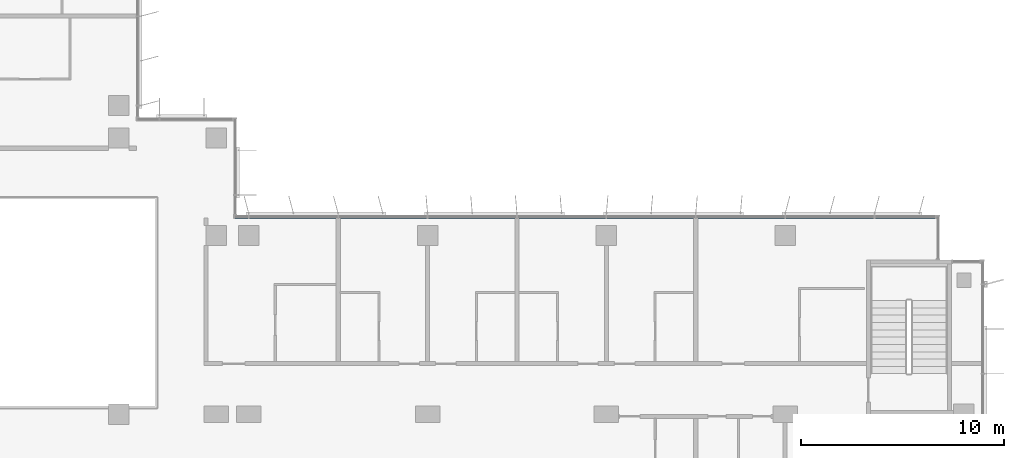
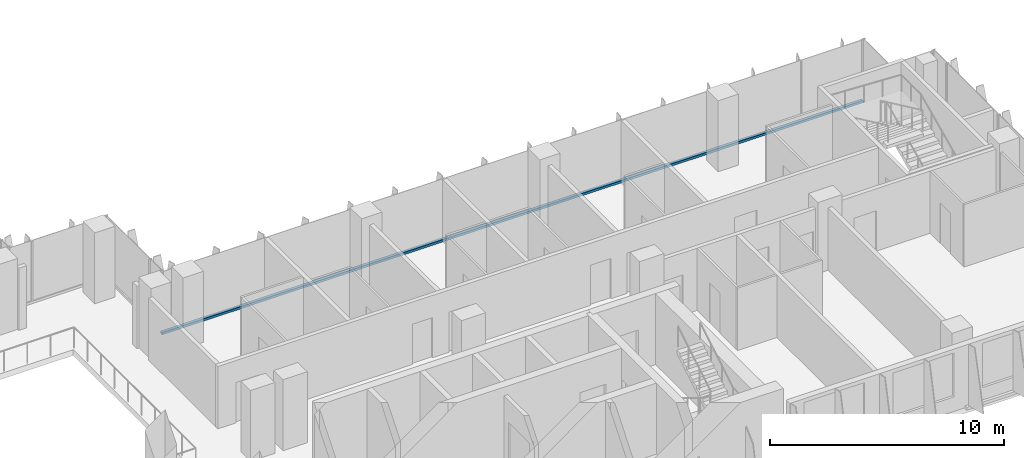
# One storey, part 3 of 21: 1 member, 1 element without a shape of its own.
"""IFC4 building model written with IfcOpenShell, lengths in metres."""

import ifcopenshell
import ifcopenshell.guid

model = None  # the IFC model being written
_history = None  # IfcOwnerHistory: only IFC2X3 demands one
_inside = {}  # id of a spatial element -> (the spatial element, [elements in it])
_under = {}  # id of a project, library or spatial element -> (it, [spatial elements below it])
_declared = {}  # id of a project -> (the project, [libraries it declares])
_typed = {}  # id of a type object -> (the type object, [elements of that type])
_made_of = {}  # id of a material, layer set ... -> (it, [elements and type objects made of it])


def new_model(schema):
    """Start an empty IFC model of exactly this schema.

    Asked for "IFC4X3", IfcOpenShell would pick the latest addendum, in which some entities
    have other attributes; the version numbers below select the first issue.
    IFC2X3 requires an IfcOwnerHistory on every rooted entity: one is made here for all.
    """
    global model, _history
    if schema == "IFC4X3":
        model = ifcopenshell.file(schema_version=(4, 3, 0, 0))
    else:
        model = ifcopenshell.file(schema=schema)
    _inside.clear()
    _under.clear()
    _declared.clear()
    _typed.clear()
    _made_of.clear()
    _history = None
    if model.schema == "IFC2X3":
        org = make("IfcOrganization", Name="unknown")
        user = make(
            "IfcPersonAndOrganization",
            ThePerson=make("IfcPerson", FamilyName="unknown"),
            TheOrganization=org,
        )
        app = make(
            "IfcApplication",
            ApplicationDeveloper=org,
            Version="unknown",
            ApplicationFullName="unknown",
            ApplicationIdentifier="unknown",
        )
        _history = make(
            "IfcOwnerHistory",
            OwningUser=user,
            OwningApplication=app,
            ChangeAction="ADDED",
            CreationDate=0,
        )
    return model


def make(cls, **values):
    """One entity of the class cls with the attributes given. An attribute that is None is left unset."""
    return model.create_entity(
        cls, **{name: value for name, value in values.items() if value is not None}
    )


def rooted(cls, **values):
    """An entity with a GlobalId (a new one), such as an element, a storey or a relation."""
    return make(cls, GlobalId=ifcopenshell.guid.new(), OwnerHistory=_history, **values)


def si_unit(unit_type, name, prefix=None):
    """IfcSIUnit, for example si_unit("LENGTHUNIT", "METRE", prefix="MILLI")."""
    return make("IfcSIUnit", UnitType=unit_type, Prefix=prefix, Name=name)


def assignment(units):
    """IfcUnitAssignment: the units of a project."""
    return None if units is None else make("IfcUnitAssignment", Units=units)


def point(xyz):
    """IfcCartesianPoint."""
    return None if xyz is None else make("IfcCartesianPoint", Coordinates=xyz)


def direction(xyz):
    """IfcDirection."""
    return None if xyz is None else make("IfcDirection", DirectionRatios=xyz)


def frame(location, z_axis=None, x_axis=None):
    """IfcAxis2Placement3D, a coordinate frame: its origin and axes. An axis left out is left unset."""
    return make(
        "IfcAxis2Placement3D",
        Location=point(location),
        Axis=direction(z_axis),
        RefDirection=direction(x_axis),
    )


def frame_2d(location, x_axis=None):
    """IfcAxis2Placement2D, a coordinate frame in the plane: its origin and x axis."""
    return make(
        "IfcAxis2Placement2D", Location=point(location), RefDirection=direction(x_axis)
    )


def origin():
    """The frame at (0, 0, 0) with its axes left unset."""
    return frame((0.0, 0.0, 0.0))


def origin_2d():
    """The frame at (0, 0) in the plane with its x axis left unset."""
    return frame_2d((0.0, 0.0))


def place(relative_to, where):
    """IfcLocalPlacement: puts the frame where relative to a parent placement (None: the world)."""
    return make(
        "IfcLocalPlacement", PlacementRelTo=relative_to, RelativePlacement=where
    )


def context(
    kind, dimensions, precision=None, world=None, true_north=None, identifier=None
):
    """IfcGeometricRepresentationContext, for example the 3D "Model" context."""
    return make(
        "IfcGeometricRepresentationContext",
        ContextIdentifier=identifier,
        ContextType=kind,
        CoordinateSpaceDimension=dimensions,
        Precision=precision,
        WorldCoordinateSystem=world,
        TrueNorth=true_north,
    )


def subcontext(parent, identifier, kind, view, scale=None):
    """IfcGeometricRepresentationSubContext, for example "Body" below "Model"."""
    return make(
        "IfcGeometricRepresentationSubContext",
        ContextIdentifier=identifier,
        ContextType=kind,
        ParentContext=parent,
        TargetScale=scale,
        TargetView=view,
    )


def project(units=None, contexts=None):
    """IfcProject with its units and contexts."""
    return rooted(
        "IfcProject",
        Name="project",
        RepresentationContexts=contexts,
        UnitsInContext=assignment(units),
    )


def spatial(cls, under=None, at=None, **own):
    """A site, building, storey or space (cls), placed at a placement, below another one or the project."""
    s = rooted(cls, ObjectPlacement=at, **own)
    if under is not None:
        _under.setdefault(under.id(), (under, []))[1].append(s)
    return s


def profile(cls, at=None, kind="AREA", **sizes):
    """A parametric profile (cls). Its sizes go by their IFC names, for example OverallWidth=200.0."""
    return make(cls, ProfileType=kind, Position=at, **sizes)


def rectangle(**sizes):
    """IfcRectangleProfileDef."""
    return profile("IfcRectangleProfileDef", **sizes)


def extrude(swept, where, along, depth):
    """IfcExtrudedAreaSolid: the profile swept, set in the frame where, extruded along a direction by depth."""
    return make(
        "IfcExtrudedAreaSolid",
        SweptArea=swept,
        Position=where,
        ExtrudedDirection=direction(along),
        Depth=depth,
    )


def shape(context_of_items, identifier, shape_type, items):
    """IfcShapeRepresentation: the items that make up one representation, for example the "Body"."""
    return make(
        "IfcShapeRepresentation",
        ContextOfItems=context_of_items,
        RepresentationIdentifier=identifier,
        RepresentationType=shape_type,
        Items=items,
    )


def material(Name=None, Category=None):
    """IfcMaterial."""
    return make("IfcMaterial", Name=Name, Category=Category)


def material_profile(
    of_material, cross_section, Name=None, Category=None, Priority=None
):
    """IfcMaterialProfile: a cross section and its material."""
    return make(
        "IfcMaterialProfile",
        Name=Name,
        Material=of_material,
        Profile=cross_section,
        Priority=Priority,
        Category=Category,
    )


def profile_set(profiles, Name=None, composite=None):
    """IfcMaterialProfileSet."""
    return make(
        "IfcMaterialProfileSet",
        Name=Name,
        MaterialProfiles=profiles,
        CompositeProfile=composite,
    )


def made_of(thing, what):
    """Note that an element or type object is made of a material, layer set ...; save() writes the relation."""
    if what is not None:
        _made_of.setdefault(what.id(), (what, []))[1].append(thing)
    return thing


def type_object(cls, material=None, **own):
    """A type object (cls), such as IfcWallType, which elements share."""
    return made_of(rooted(cls, **own), material)


def element(
    cls,
    number,
    at=None,
    inside=None,
    cuts=None,
    type_object=None,
    material=None,
    context=None,
    identifier="Body",
    shape_type=None,
    held_by="IfcProductDefinitionShape",
    body=None,
    shapes=None,
    **own,
):
    """One element of the class cls, such as IfcWall. Its Tag is "e" and its number.

    at: its placement. inside: the storey or other place that contains it. cuts: it is an
    opening in that element (IfcRelVoidsElement). A single representation is given by context,
    identifier, shape_type and body (its items); several are given by shapes. held_by: the class
    of the entity that holds the representations. save() writes the other relations.
    """
    e = rooted(cls, Tag="e%d" % number, ObjectPlacement=at, **own)
    if body is not None:
        shapes = [shape(context, identifier, shape_type, body)]
    if shapes is not None:
        e.Representation = make(held_by, Representations=shapes)
    if inside is not None:
        _inside.setdefault(inside.id(), (inside, []))[1].append(e)
    if cuts is not None:
        rooted(
            "IfcRelVoidsElement", RelatingBuildingElement=cuts, RelatedOpeningElement=e
        )
    if type_object is not None:
        _typed.setdefault(type_object.id(), (type_object, []))[1].append(e)
    return made_of(e, material)


def aggregate(whole, parts):
    """IfcRelAggregates: a whole, such as a stair, and the parts it consists of."""
    return rooted("IfcRelAggregates", RelatingObject=whole, RelatedObjects=parts)


def save(model, path):
    """Write the relations noted so far, then the file.

    IfcRelAggregates (storeys below a building ...), IfcRelContainedInSpatialStructure (elements
    in a storey), IfcRelDefinesByType, IfcRelAssociatesMaterial and IfcRelDeclares: one each for
    every whole, place, type object, material and project.
    """
    for whole, parts in _under.values():
        aggregate(whole, parts)
    for where, things in _inside.values():
        rooted(
            "IfcRelContainedInSpatialStructure",
            RelatedElements=things,
            RelatingStructure=where,
        )
    for kind, things in _typed.values():
        rooted("IfcRelDefinesByType", RelatedObjects=things, RelatingType=kind)
    for what, things in _made_of.values():
        rooted("IfcRelAssociatesMaterial", RelatedObjects=things, RelatingMaterial=what)
    for by, libraries in _declared.values():
        rooted("IfcRelDeclares", RelatingContext=by, RelatedDefinitions=libraries)
    model.write(path)


model = new_model("IFC4")

# Units and contexts
model_context = context("Model", 3, precision=1e-05, world=origin(), true_north=direction((0.0, 1.0)))
body_context = subcontext(model_context, "Body", "Model", "MODEL_VIEW")
ifc_project = project(units=[si_unit("LENGTHUNIT", "METRE"), si_unit("AREAUNIT", "SQUARE_METRE"), si_unit("VOLUMEUNIT", "CUBIC_METRE"), si_unit("PLANEANGLEUNIT", "RADIAN"), si_unit("MASSUNIT", "GRAM", prefix="KILO")], contexts=[model_context])

# Site, building, storey
site_placement = place(None, origin())
site = spatial("IfcSite", under=ifc_project, at=site_placement, CompositionType="ELEMENT")
building_placement = place(site_placement, origin())
building = spatial("IfcBuilding", under=site, at=building_placement, Name="Kemantara Hotel Tower", CompositionType="ELEMENT")
storey_placement = place(building_placement, frame((0.0, 0.0, 198.800048828125)))
storey = spatial("IfcBuildingStorey", under=building, at=storey_placement, Name="L49", CompositionType="ELEMENT", Elevation=198.800048828125)

# Curtain wall, member
ifc_material_1 = material(Name="Low-E tinted double insulated glass 36 mm", Category="glass")
curtain_wall_type = type_object("IfcCurtainWallType", Name="TOWER CURTAIN WALL, FRONT FACES", PredefinedType="USERDEFINED", material=ifc_material_1)
curtain_wall_placement = place(storey_placement, origin())
curtain_wall = element("IfcCurtainWall", 1, at=curtain_wall_placement, inside=storey, type_object=curtain_wall_type, Name="CW4 L49 T3-R14-1", ObjectType="TOWER CURTAIN WALL, FRONT FACES", PredefinedType="USERDEFINED")
ifc_material_2 = material(Name="Aluminium 6063-T6 bronze anodised", Category="aluminium")
ifc_material_profile = material_profile(ifc_material_2, rectangle(XDim=0.14990234375, YDim=0.1201171875, at=origin_2d()), Name="TOWER CURTAIN WALL, FRONT FACES TRANSOM")
ifc_profile_set = profile_set([ifc_material_profile], Name="Aluminium 6063-T6 bronze anodised")
member_type = type_object("IfcMemberType", Name="TOWER CURTAIN WALL, FRONT FACES TRANSOM", PredefinedType="USERDEFINED", material=ifc_profile_set)
member_placement = place(storey_placement, frame((61.25, 21.925048828125, 0.06005859375), z_axis=(-1.0, 0.0, 0.0), x_axis=(0.0, -1.0, 0.0)))
member = element("IfcMember", 2, at=member_placement, type_object=member_type, Name="CW4 sill transom T3-R14-1", ObjectType="TRANSOM", PredefinedType="USERDEFINED", context=body_context, shape_type="SweptSolid", body=[
    extrude(rectangle(XDim=0.14990234375, YDim=0.1201171875, at=origin_2d()), origin(), (0.0, 0.0, 1.0), 34.60009765625),
])
aggregate(curtain_wall, [member])

save(model, "model.ifc")
